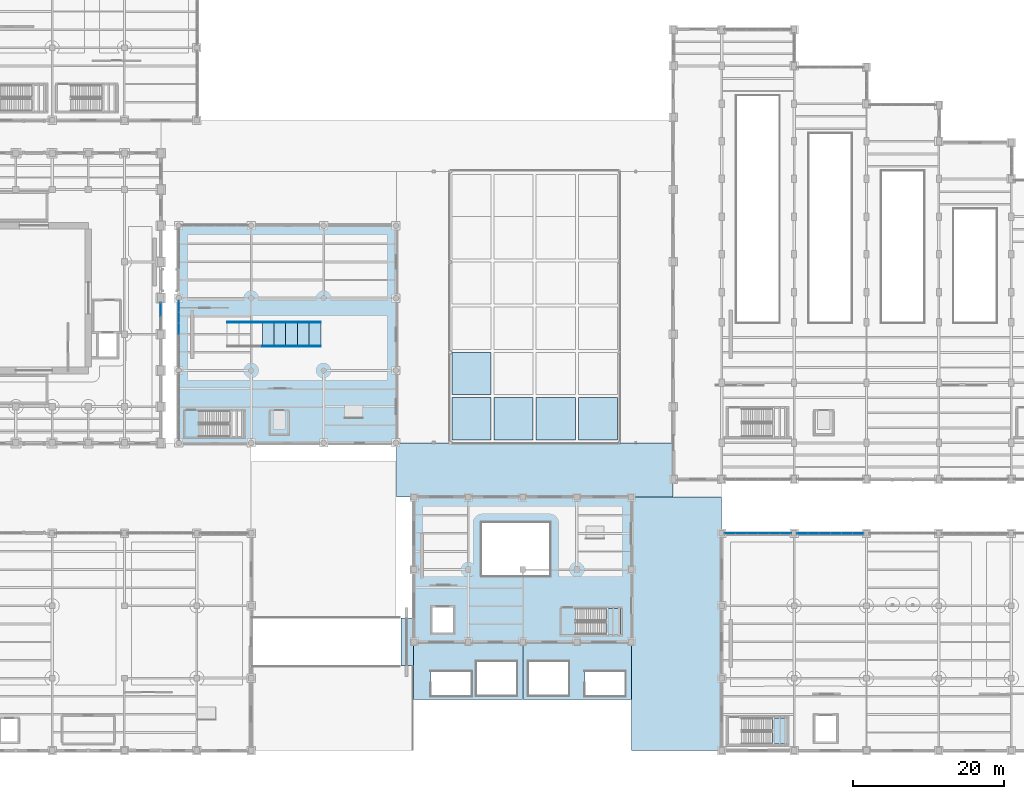
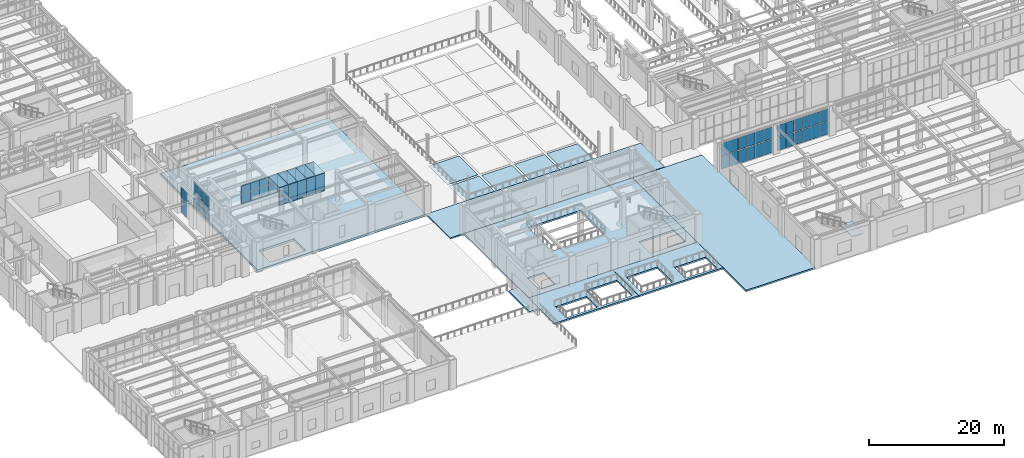
# One storey, part 117 of 164: 55 plates, 9 slabs, 6 elements without a shape of their own.
"""IFC4 building model written with IfcOpenShell, lengths in metres."""

import ifcopenshell
import ifcopenshell.guid

model = None  # the IFC model being written
_history = None  # IfcOwnerHistory: only IFC2X3 demands one
_inside = {}  # id of a spatial element -> (the spatial element, [elements in it])
_under = {}  # id of a project, library or spatial element -> (it, [spatial elements below it])
_declared = {}  # id of a project -> (the project, [libraries it declares])
_typed = {}  # id of a type object -> (the type object, [elements of that type])
_made_of = {}  # id of a material, layer set ... -> (it, [elements and type objects made of it])


def new_model(schema):
    """Start an empty IFC model of exactly this schema.

    Asked for "IFC4X3", IfcOpenShell would pick the latest addendum, in which some entities
    have other attributes; the version numbers below select the first issue.
    IFC2X3 requires an IfcOwnerHistory on every rooted entity: one is made here for all.
    """
    global model, _history
    if schema == "IFC4X3":
        model = ifcopenshell.file(schema_version=(4, 3, 0, 0))
    else:
        model = ifcopenshell.file(schema=schema)
    _inside.clear()
    _under.clear()
    _declared.clear()
    _typed.clear()
    _made_of.clear()
    _history = None
    if model.schema == "IFC2X3":
        org = make("IfcOrganization", Name="unknown")
        user = make(
            "IfcPersonAndOrganization",
            ThePerson=make("IfcPerson", FamilyName="unknown"),
            TheOrganization=org,
        )
        app = make(
            "IfcApplication",
            ApplicationDeveloper=org,
            Version="unknown",
            ApplicationFullName="unknown",
            ApplicationIdentifier="unknown",
        )
        _history = make(
            "IfcOwnerHistory",
            OwningUser=user,
            OwningApplication=app,
            ChangeAction="ADDED",
            CreationDate=0,
        )
    return model


def make(cls, **values):
    """One entity of the class cls with the attributes given. An attribute that is None is left unset."""
    return model.create_entity(
        cls, **{name: value for name, value in values.items() if value is not None}
    )


def rooted(cls, **values):
    """An entity with a GlobalId (a new one), such as an element, a storey or a relation."""
    return make(cls, GlobalId=ifcopenshell.guid.new(), OwnerHistory=_history, **values)


def si_unit(unit_type, name, prefix=None):
    """IfcSIUnit, for example si_unit("LENGTHUNIT", "METRE", prefix="MILLI")."""
    return make("IfcSIUnit", UnitType=unit_type, Prefix=prefix, Name=name)


def assignment(units):
    """IfcUnitAssignment: the units of a project."""
    return None if units is None else make("IfcUnitAssignment", Units=units)


def point(xyz):
    """IfcCartesianPoint."""
    return None if xyz is None else make("IfcCartesianPoint", Coordinates=xyz)


def direction(xyz):
    """IfcDirection."""
    return None if xyz is None else make("IfcDirection", DirectionRatios=xyz)


def frame(location, z_axis=None, x_axis=None):
    """IfcAxis2Placement3D, a coordinate frame: its origin and axes. An axis left out is left unset."""
    return make(
        "IfcAxis2Placement3D",
        Location=point(location),
        Axis=direction(z_axis),
        RefDirection=direction(x_axis),
    )


def frame_2d(location, x_axis=None):
    """IfcAxis2Placement2D, a coordinate frame in the plane: its origin and x axis."""
    return make(
        "IfcAxis2Placement2D", Location=point(location), RefDirection=direction(x_axis)
    )


def origin():
    """The frame at (0, 0, 0) with its axes left unset."""
    return frame((0.0, 0.0, 0.0))


def origin_2d():
    """The frame at (0, 0) in the plane with its x axis left unset."""
    return frame_2d((0.0, 0.0))


def place(relative_to, where):
    """IfcLocalPlacement: puts the frame where relative to a parent placement (None: the world)."""
    return make(
        "IfcLocalPlacement", PlacementRelTo=relative_to, RelativePlacement=where
    )


def context(
    kind, dimensions, precision=None, world=None, true_north=None, identifier=None
):
    """IfcGeometricRepresentationContext, for example the 3D "Model" context."""
    return make(
        "IfcGeometricRepresentationContext",
        ContextIdentifier=identifier,
        ContextType=kind,
        CoordinateSpaceDimension=dimensions,
        Precision=precision,
        WorldCoordinateSystem=world,
        TrueNorth=true_north,
    )


def subcontext(parent, identifier, kind, view, scale=None):
    """IfcGeometricRepresentationSubContext, for example "Body" below "Model"."""
    return make(
        "IfcGeometricRepresentationSubContext",
        ContextIdentifier=identifier,
        ContextType=kind,
        ParentContext=parent,
        TargetScale=scale,
        TargetView=view,
    )


def project(units=None, contexts=None):
    """IfcProject with its units and contexts."""
    return rooted(
        "IfcProject",
        Name="project",
        RepresentationContexts=contexts,
        UnitsInContext=assignment(units),
    )


def spatial(cls, under=None, at=None, **own):
    """A site, building, storey or space (cls), placed at a placement, below another one or the project."""
    s = rooted(cls, ObjectPlacement=at, **own)
    if under is not None:
        _under.setdefault(under.id(), (under, []))[1].append(s)
    return s


def polyline(points):
    """IfcPolyline through the points."""
    return make("IfcPolyline", Points=[point(p) for p in points])


def profile(cls, at=None, kind="AREA", **sizes):
    """A parametric profile (cls). Its sizes go by their IFC names, for example OverallWidth=200.0."""
    return make(cls, ProfileType=kind, Position=at, **sizes)


def rectangle(**sizes):
    """IfcRectangleProfileDef."""
    return profile("IfcRectangleProfileDef", **sizes)


def outline(outer, holes=None, kind="AREA"):
    """IfcArbitraryClosedProfileDef: a profile drawn as a closed curve; with holes, ...WithVoids."""
    if holes is None:
        return make("IfcArbitraryClosedProfileDef", ProfileType=kind, OuterCurve=outer)
    return make(
        "IfcArbitraryProfileDefWithVoids",
        ProfileType=kind,
        OuterCurve=outer,
        InnerCurves=holes,
    )


def extrude(swept, where, along, depth):
    """IfcExtrudedAreaSolid: the profile swept, set in the frame where, extruded along a direction by depth."""
    return make(
        "IfcExtrudedAreaSolid",
        SweptArea=swept,
        Position=where,
        ExtrudedDirection=direction(along),
        Depth=depth,
    )


def shape(context_of_items, identifier, shape_type, items):
    """IfcShapeRepresentation: the items that make up one representation, for example the "Body"."""
    return make(
        "IfcShapeRepresentation",
        ContextOfItems=context_of_items,
        RepresentationIdentifier=identifier,
        RepresentationType=shape_type,
        Items=items,
    )


def material(Name=None, Category=None):
    """IfcMaterial."""
    return make("IfcMaterial", Name=Name, Category=Category)


def layer(
    of_material, thickness, ventilated=None, Name=None, Category=None, Priority=None
):
    """IfcMaterialLayer: one layer of a wall or slab, of a material (None: an air gap)."""
    return make(
        "IfcMaterialLayer",
        Material=of_material,
        LayerThickness=thickness,
        IsVentilated=ventilated,
        Name=Name,
        Category=Category,
        Priority=Priority,
    )


def layer_set(layers, Name=None):
    """IfcMaterialLayerSet."""
    return make("IfcMaterialLayerSet", MaterialLayers=layers, LayerSetName=Name)


def made_of(thing, what):
    """Note that an element or type object is made of a material, layer set ...; save() writes the relation."""
    if what is not None:
        _made_of.setdefault(what.id(), (what, []))[1].append(thing)
    return thing


def type_object(cls, material=None, **own):
    """A type object (cls), such as IfcWallType, which elements share."""
    return made_of(rooted(cls, **own), material)


def element(
    cls,
    number,
    at=None,
    inside=None,
    cuts=None,
    type_object=None,
    material=None,
    context=None,
    identifier="Body",
    shape_type=None,
    held_by="IfcProductDefinitionShape",
    body=None,
    shapes=None,
    **own,
):
    """One element of the class cls, such as IfcWall. Its Tag is "e" and its number.

    at: its placement. inside: the storey or other place that contains it. cuts: it is an
    opening in that element (IfcRelVoidsElement). A single representation is given by context,
    identifier, shape_type and body (its items); several are given by shapes. held_by: the class
    of the entity that holds the representations. save() writes the other relations.
    """
    e = rooted(cls, Tag="e%d" % number, ObjectPlacement=at, **own)
    if body is not None:
        shapes = [shape(context, identifier, shape_type, body)]
    if shapes is not None:
        e.Representation = make(held_by, Representations=shapes)
    if inside is not None:
        _inside.setdefault(inside.id(), (inside, []))[1].append(e)
    if cuts is not None:
        rooted(
            "IfcRelVoidsElement", RelatingBuildingElement=cuts, RelatedOpeningElement=e
        )
    if type_object is not None:
        _typed.setdefault(type_object.id(), (type_object, []))[1].append(e)
    return made_of(e, material)


def aggregate(whole, parts):
    """IfcRelAggregates: a whole, such as a stair, and the parts it consists of."""
    return rooted("IfcRelAggregates", RelatingObject=whole, RelatedObjects=parts)


def save(model, path):
    """Write the relations noted so far, then the file.

    IfcRelAggregates (storeys below a building ...), IfcRelContainedInSpatialStructure (elements
    in a storey), IfcRelDefinesByType, IfcRelAssociatesMaterial and IfcRelDeclares: one each for
    every whole, place, type object, material and project.
    """
    for whole, parts in _under.values():
        aggregate(whole, parts)
    for where, things in _inside.values():
        rooted(
            "IfcRelContainedInSpatialStructure",
            RelatedElements=things,
            RelatingStructure=where,
        )
    for kind, things in _typed.values():
        rooted("IfcRelDefinesByType", RelatedObjects=things, RelatingType=kind)
    for what, things in _made_of.values():
        rooted("IfcRelAssociatesMaterial", RelatedObjects=things, RelatingMaterial=what)
    for by, libraries in _declared.values():
        rooted("IfcRelDeclares", RelatingContext=by, RelatedDefinitions=libraries)
    model.write(path)


model = new_model("IFC4")

# Units and contexts
model_context = context("Model", 3, precision=1e-05, world=origin(), true_north=direction((0.0, 1.0)))
body_context = subcontext(model_context, "Body", "Model", "MODEL_VIEW")
ifc_project = project(units=[si_unit("LENGTHUNIT", "METRE"), si_unit("AREAUNIT", "SQUARE_METRE"), si_unit("VOLUMEUNIT", "CUBIC_METRE"), si_unit("PLANEANGLEUNIT", "RADIAN"), si_unit("MASSUNIT", "GRAM", prefix="KILO")], contexts=[model_context])

# Site, building, storey
site_placement = place(None, origin())
site = spatial("IfcSite", under=ifc_project, at=site_placement, CompositionType="ELEMENT")
building_placement = place(site_placement, origin())
building = spatial("IfcBuilding", under=site, at=building_placement, Name="Mavantir Sound Aquarium", CompositionType="ELEMENT")
storey_placement = place(building_placement, origin())
storey = spatial("IfcBuildingStorey", under=building, at=storey_placement, Name="L00", CompositionType="ELEMENT", Elevation=0.0)

# Curtain wall, plates
ifc_material_1 = material(Name="Anodised Marine Aluminium and Low-E Glass", Category="aluminium")
curtain_wall_type_1 = type_object("IfcCurtainWallType", Name="CW-T01", PredefinedType="USERDEFINED", material=ifc_material_1)
curtain_wall_1_placement = place(storey_placement, origin())
curtain_wall_1 = element("IfcCurtainWall", 1, at=curtain_wall_1_placement, inside=storey, type_object=curtain_wall_type_1, Name="L00 unitised curtain wall CW-01 1", ObjectType="UNITISED GLAZING", PredefinedType="USERDEFINED")
ifc_material_2 = material(Name="Solar-Control Laminated Low-E Glass", Category="glass")
ifc_layer_1 = layer(ifc_material_2, 0.028076171875, Name="Solar-Control Laminated Low-E Glass")
ifc_layer_set_1 = layer_set([ifc_layer_1], Name="Solar-Control Laminated Low-E Glass")
plate_type_1 = type_object("IfcPlateType", Name="CW-PNL-28", PredefinedType="CURTAIN_PANEL", material=ifc_layer_set_1)
plate_1_placement = place(storey_placement, frame((33.60009765625, 58.49609375, 0.10302734375), z_axis=(0.0, 0.0, 1.0), x_axis=(0.0, 1.0, 0.0)))
plate_1 = element("IfcPlate", 2, at=plate_1_placement, type_object=plate_type_1, Name="CW-L00-001 glazed curtain panel 2.1", PredefinedType="CURTAIN_PANEL", context=body_context, shape_type="SweptSolid", body=[
    extrude(rectangle(XDim=1.743896484375, YDim=0.028076171875, at=origin_2d()), origin(), (0.0, 0.0, 1.0), 2.271240234375),
])
plate_2_placement = place(storey_placement, frame((33.60009765625, 58.49609375, 2.47021484375), z_axis=(0.0, 0.0, 1.0), x_axis=(0.0, 1.0, 0.0)))
plate_2 = element("IfcPlate", 3, at=plate_2_placement, type_object=plate_type_1, Name="CW-L00-001 glazed curtain panel 2.2", PredefinedType="CURTAIN_PANEL", context=body_context, shape_type="SweptSolid", body=[
    extrude(rectangle(XDim=1.743896484375, YDim=0.028076171875, at=origin_2d()), origin(), (0.0, 0.0, 1.0), 2.084716796875),
])
aggregate(curtain_wall_1, [plate_1, plate_2])

curtain_wall_type_2 = type_object("IfcCurtainWallType", Name="CW-T05", PredefinedType="USERDEFINED", material=ifc_material_1)
curtain_wall_2_placement = place(storey_placement, origin())
curtain_wall_2 = element("IfcCurtainWall", 4, at=curtain_wall_2_placement, inside=storey, type_object=curtain_wall_type_2, Name="L00 unitised curtain wall CW-05 53", ObjectType="UNITISED GLAZING", PredefinedType="USERDEFINED")
plate_3_placement = place(storey_placement, frame((116.480712890625, 28.800048828125, 0.10302734375), z_axis=(0.0, 0.0, 1.0), x_axis=(-1.0, 0.0, 0.0)))
plate_3 = element("IfcPlate", 5, at=plate_3_placement, type_object=plate_type_1, Name="CW-L00-053 glazed curtain panel 1.1", PredefinedType="CURTAIN_PANEL", context=body_context, shape_type="SweptSolid", body=[
    extrude(rectangle(XDim=1.42431640625, YDim=0.028076171875, at=origin_2d()), origin(), (0.0, 0.0, 1.0), 2.38818359375),
])
plate_4_placement = place(storey_placement, frame((116.480712890625, 28.800048828125, 2.587158203125), z_axis=(0.0, 0.0, 1.0), x_axis=(-1.0, 0.0, 0.0)))
plate_4 = element("IfcPlate", 6, at=plate_4_placement, type_object=plate_type_1, Name="CW-L00-053 glazed curtain panel 1.2", PredefinedType="CURTAIN_PANEL", context=body_context, shape_type="SweptSolid", body=[
    extrude(rectangle(XDim=1.42431640625, YDim=0.028076171875, at=origin_2d()), origin(), (0.0, 0.0, 1.0), 2.19287109375),
])
plate_5_placement = place(storey_placement, frame((115.008544921875, 28.800048828125, 0.10302734375), z_axis=(0.0, 0.0, 1.0), x_axis=(-1.0, 0.0, 0.0)))
plate_5 = element("IfcPlate", 7, at=plate_5_placement, type_object=plate_type_1, Name="CW-L00-053 glazed curtain panel 2.1", PredefinedType="CURTAIN_PANEL", context=body_context, shape_type="SweptSolid", body=[
    extrude(rectangle(XDim=1.42431640625, YDim=0.028076171875, at=origin_2d()), origin(), (0.0, 0.0, 1.0), 2.38818359375),
])
plate_6_placement = place(storey_placement, frame((115.008544921875, 28.800048828125, 2.587158203125), z_axis=(0.0, 0.0, 1.0), x_axis=(-1.0, 0.0, 0.0)))
plate_6 = element("IfcPlate", 8, at=plate_6_placement, type_object=plate_type_1, Name="CW-L00-053 glazed curtain panel 2.2", PredefinedType="CURTAIN_PANEL", context=body_context, shape_type="SweptSolid", body=[
    extrude(rectangle(XDim=1.42431640625, YDim=0.028076171875, at=origin_2d()), origin(), (0.0, 0.0, 1.0), 2.19287109375),
])
plate_7_placement = place(storey_placement, frame((113.5361328125, 28.800048828125, 0.10302734375), z_axis=(0.0, 0.0, 1.0), x_axis=(-1.0, 0.0, 0.0)))
plate_7 = element("IfcPlate", 9, at=plate_7_placement, type_object=plate_type_1, Name="CW-L00-053 glazed curtain panel 3.1", PredefinedType="CURTAIN_PANEL", context=body_context, shape_type="SweptSolid", body=[
    extrude(rectangle(XDim=1.42431640625, YDim=0.028076171875, at=origin_2d()), origin(), (0.0, 0.0, 1.0), 2.38818359375),
])
plate_8_placement = place(storey_placement, frame((113.5361328125, 28.800048828125, 2.587158203125), z_axis=(0.0, 0.0, 1.0), x_axis=(-1.0, 0.0, 0.0)))
plate_8 = element("IfcPlate", 10, at=plate_8_placement, type_object=plate_type_1, Name="CW-L00-053 glazed curtain panel 3.2", PredefinedType="CURTAIN_PANEL", context=body_context, shape_type="SweptSolid", body=[
    extrude(rectangle(XDim=1.42431640625, YDim=0.028076171875, at=origin_2d()), origin(), (0.0, 0.0, 1.0), 2.19287109375),
])
plate_9_placement = place(storey_placement, frame((112.063720703125, 28.800048828125, 0.10302734375), z_axis=(0.0, 0.0, 1.0), x_axis=(-1.0, 0.0, 0.0)))
plate_9 = element("IfcPlate", 11, at=plate_9_placement, type_object=plate_type_1, Name="CW-L00-053 glazed curtain panel 4.1", PredefinedType="CURTAIN_PANEL", context=body_context, shape_type="SweptSolid", body=[
    extrude(rectangle(XDim=1.42431640625, YDim=0.028076171875, at=origin_2d()), origin(), (0.0, 0.0, 1.0), 2.38818359375),
])
plate_10_placement = place(storey_placement, frame((112.063720703125, 28.800048828125, 2.587158203125), z_axis=(0.0, 0.0, 1.0), x_axis=(-1.0, 0.0, 0.0)))
plate_10 = element("IfcPlate", 12, at=plate_10_placement, type_object=plate_type_1, Name="CW-L00-053 glazed curtain panel 4.2", PredefinedType="CURTAIN_PANEL", context=body_context, shape_type="SweptSolid", body=[
    extrude(rectangle(XDim=1.42431640625, YDim=0.028076171875, at=origin_2d()), origin(), (0.0, 0.0, 1.0), 2.19287109375),
])
plate_11_placement = place(storey_placement, frame((110.591552734375, 28.800048828125, 0.10302734375), z_axis=(0.0, 0.0, 1.0), x_axis=(-1.0, 0.0, 0.0)))
plate_11 = element("IfcPlate", 13, at=plate_11_placement, type_object=plate_type_1, Name="CW-L00-053 glazed curtain panel 5.1", PredefinedType="CURTAIN_PANEL", context=body_context, shape_type="SweptSolid", body=[
    extrude(rectangle(XDim=1.42431640625, YDim=0.028076171875, at=origin_2d()), origin(), (0.0, 0.0, 1.0), 2.38818359375),
])
plate_12_placement = place(storey_placement, frame((110.591552734375, 28.800048828125, 2.587158203125), z_axis=(0.0, 0.0, 1.0), x_axis=(-1.0, 0.0, 0.0)))
plate_12 = element("IfcPlate", 14, at=plate_12_placement, type_object=plate_type_1, Name="CW-L00-053 glazed curtain panel 5.2", PredefinedType="CURTAIN_PANEL", context=body_context, shape_type="SweptSolid", body=[
    extrude(rectangle(XDim=1.42431640625, YDim=0.028076171875, at=origin_2d()), origin(), (0.0, 0.0, 1.0), 2.19287109375),
])
plate_13_placement = place(storey_placement, frame((109.119140625, 28.800048828125, 0.10302734375), z_axis=(0.0, 0.0, 1.0), x_axis=(-1.0, 0.0, 0.0)))
plate_13 = element("IfcPlate", 15, at=plate_13_placement, type_object=plate_type_1, Name="CW-L00-053 glazed curtain panel 6.1", PredefinedType="CURTAIN_PANEL", context=body_context, shape_type="SweptSolid", body=[
    extrude(rectangle(XDim=1.42431640625, YDim=0.028076171875, at=origin_2d()), origin(), (0.0, 0.0, 1.0), 2.38818359375),
])
plate_14_placement = place(storey_placement, frame((109.119140625, 28.800048828125, 2.587158203125), z_axis=(0.0, 0.0, 1.0), x_axis=(-1.0, 0.0, 0.0)))
plate_14 = element("IfcPlate", 16, at=plate_14_placement, type_object=plate_type_1, Name="CW-L00-053 glazed curtain panel 6.2", PredefinedType="CURTAIN_PANEL", context=body_context, shape_type="SweptSolid", body=[
    extrude(rectangle(XDim=1.42431640625, YDim=0.028076171875, at=origin_2d()), origin(), (0.0, 0.0, 1.0), 2.19287109375),
])
aggregate(curtain_wall_2, [plate_3, plate_4, plate_5, plate_6, plate_7, plate_8, plate_9, plate_10, plate_11, plate_12, plate_13, plate_14])

curtain_wall_type_3 = type_object("IfcCurtainWallType", Name="CW-T04", PredefinedType="USERDEFINED", material=ifc_material_1)
curtain_wall_3_placement = place(storey_placement, origin())
curtain_wall_3 = element("IfcCurtainWall", 17, at=curtain_wall_3_placement, inside=storey, type_object=curtain_wall_type_3, Name="L00 unitised curtain wall CW-04 4", ObjectType="UNITISED GLAZING", PredefinedType="USERDEFINED")
ifc_layer_2 = layer(ifc_material_2, 0.031982421875, Name="Solar-Control Laminated Low-E Glass")
ifc_layer_set_2 = layer_set([ifc_layer_2], Name="Solar-Control Laminated Low-E Glass")
plate_type_2 = type_object("IfcPlateType", Name="CW-PNL-32", PredefinedType="CURTAIN_PANEL", material=ifc_layer_set_2)
plate_15_placement = place(storey_placement, frame((36.0, 58.880859375, 0.10302734375), z_axis=(0.0, 0.0, 1.0), x_axis=(0.0, -1.0, 0.0)))
plate_15 = element("IfcPlate", 18, at=plate_15_placement, type_object=plate_type_2, Name="CW-L00-004 glazed curtain panel 1.1", PredefinedType="CURTAIN_PANEL", context=body_context, shape_type="SweptSolid", body=[
    extrude(rectangle(XDim=1.42431640625, YDim=0.031982421875, at=origin_2d()), origin(), (0.0, 0.0, 1.0), 2.2666015625),
])
plate_16_placement = place(storey_placement, frame((36.0, 58.880859375, 2.46533203125), z_axis=(0.0, 0.0, 1.0), x_axis=(0.0, -1.0, 0.0)))
plate_16 = element("IfcPlate", 19, at=plate_16_placement, type_object=plate_type_2, Name="CW-L00-004 glazed curtain panel 1.2", PredefinedType="CURTAIN_PANEL", context=body_context, shape_type="SweptSolid", body=[
    extrude(rectangle(XDim=1.42431640625, YDim=0.031982421875, at=origin_2d()), origin(), (0.0, 0.0, 1.0), 2.08056640625),
])
plate_17_placement = place(storey_placement, frame((36.0, 57.408447265625, 0.10302734375), z_axis=(0.0, 0.0, 1.0), x_axis=(0.0, -1.0, 0.0)))
plate_17 = element("IfcPlate", 20, at=plate_17_placement, type_object=plate_type_2, Name="CW-L00-004 glazed curtain panel 2.1", PredefinedType="CURTAIN_PANEL", context=body_context, shape_type="SweptSolid", body=[
    extrude(rectangle(XDim=1.42431640625, YDim=0.031982421875, at=origin_2d()), origin(), (0.0, 0.0, 1.0), 2.2666015625),
])
plate_18_placement = place(storey_placement, frame((36.0, 57.408447265625, 2.46533203125), z_axis=(0.0, 0.0, 1.0), x_axis=(0.0, -1.0, 0.0)))
plate_18 = element("IfcPlate", 21, at=plate_18_placement, type_object=plate_type_2, Name="CW-L00-004 glazed curtain panel 2.2", PredefinedType="CURTAIN_PANEL", context=body_context, shape_type="SweptSolid", body=[
    extrude(rectangle(XDim=1.42431640625, YDim=0.031982421875, at=origin_2d()), origin(), (0.0, 0.0, 1.0), 2.08056640625),
])
plate_19_placement = place(storey_placement, frame((36.0, 55.936279296875, 0.10302734375), z_axis=(0.0, 0.0, 1.0), x_axis=(0.0, -1.0, 0.0)))
plate_19 = element("IfcPlate", 22, at=plate_19_placement, type_object=plate_type_2, Name="CW-L00-004 glazed curtain panel 3.1", PredefinedType="CURTAIN_PANEL", context=body_context, shape_type="SweptSolid", body=[
    extrude(rectangle(XDim=1.42431640625, YDim=0.031982421875, at=origin_2d()), origin(), (0.0, 0.0, 1.0), 2.2666015625),
])
plate_20_placement = place(storey_placement, frame((36.0, 55.936279296875, 2.46533203125), z_axis=(0.0, 0.0, 1.0), x_axis=(0.0, -1.0, 0.0)))
plate_20 = element("IfcPlate", 23, at=plate_20_placement, type_object=plate_type_2, Name="CW-L00-004 glazed curtain panel 3.2", PredefinedType="CURTAIN_PANEL", context=body_context, shape_type="SweptSolid", body=[
    extrude(rectangle(XDim=1.42431640625, YDim=0.031982421875, at=origin_2d()), origin(), (0.0, 0.0, 1.0), 2.08056640625),
])
aggregate(curtain_wall_3, [plate_15, plate_16, plate_17, plate_18, plate_19, plate_20])

curtain_wall_4_placement = place(storey_placement, origin())
curtain_wall_4 = element("IfcCurtainWall", 24, at=curtain_wall_4_placement, inside=storey, type_object=curtain_wall_type_3, Name="L00 unitised curtain wall CW-04 52", ObjectType="UNITISED GLAZING", PredefinedType="USERDEFINED")
plate_21_placement = place(storey_placement, frame((126.080810546875, 28.800048828125, 0.10302734375), z_axis=(0.0, 0.0, 1.0), x_axis=(-1.0, 0.0, 0.0)))
plate_21 = element("IfcPlate", 25, at=plate_21_placement, type_object=plate_type_2, Name="CW-L00-052 glazed curtain panel 1.1", PredefinedType="CURTAIN_PANEL", context=body_context, shape_type="SweptSolid", body=[
    extrude(rectangle(XDim=1.42431640625, YDim=0.031982421875, at=origin_2d()), origin(), (0.0, 0.0, 1.0), 2.33349609375),
])
plate_22_placement = place(storey_placement, frame((126.080810546875, 28.800048828125, 2.53271484375), z_axis=(0.0, 0.0, 1.0), x_axis=(-1.0, 0.0, 0.0)))
plate_22 = element("IfcPlate", 26, at=plate_22_placement, type_object=plate_type_2, Name="CW-L00-052 glazed curtain panel 1.2", PredefinedType="CURTAIN_PANEL", context=body_context, shape_type="SweptSolid", body=[
    extrude(rectangle(XDim=1.42431640625, YDim=0.031982421875, at=origin_2d()), origin(), (0.0, 0.0, 1.0), 2.142333984375),
])
plate_23_placement = place(storey_placement, frame((124.6083984375, 28.800048828125, 0.10302734375), z_axis=(0.0, 0.0, 1.0), x_axis=(-1.0, 0.0, 0.0)))
plate_23 = element("IfcPlate", 27, at=plate_23_placement, type_object=plate_type_2, Name="CW-L00-052 glazed curtain panel 2.1", PredefinedType="CURTAIN_PANEL", context=body_context, shape_type="SweptSolid", body=[
    extrude(rectangle(XDim=1.42431640625, YDim=0.031982421875, at=origin_2d()), origin(), (0.0, 0.0, 1.0), 2.33349609375),
])
plate_24_placement = place(storey_placement, frame((124.6083984375, 28.800048828125, 2.53271484375), z_axis=(0.0, 0.0, 1.0), x_axis=(-1.0, 0.0, 0.0)))
plate_24 = element("IfcPlate", 28, at=plate_24_placement, type_object=plate_type_2, Name="CW-L00-052 glazed curtain panel 2.2", PredefinedType="CURTAIN_PANEL", context=body_context, shape_type="SweptSolid", body=[
    extrude(rectangle(XDim=1.42431640625, YDim=0.031982421875, at=origin_2d()), origin(), (0.0, 0.0, 1.0), 2.142333984375),
])
plate_25_placement = place(storey_placement, frame((123.13623046875, 28.800048828125, 0.10302734375), z_axis=(0.0, 0.0, 1.0), x_axis=(-1.0, 0.0, 0.0)))
plate_25 = element("IfcPlate", 29, at=plate_25_placement, type_object=plate_type_2, Name="CW-L00-052 glazed curtain panel 3.1", PredefinedType="CURTAIN_PANEL", context=body_context, shape_type="SweptSolid", body=[
    extrude(rectangle(XDim=1.42431640625, YDim=0.031982421875, at=origin_2d()), origin(), (0.0, 0.0, 1.0), 2.33349609375),
])
plate_26_placement = place(storey_placement, frame((123.13623046875, 28.800048828125, 2.53271484375), z_axis=(0.0, 0.0, 1.0), x_axis=(-1.0, 0.0, 0.0)))
plate_26 = element("IfcPlate", 30, at=plate_26_placement, type_object=plate_type_2, Name="CW-L00-052 glazed curtain panel 3.2", PredefinedType="CURTAIN_PANEL", context=body_context, shape_type="SweptSolid", body=[
    extrude(rectangle(XDim=1.42431640625, YDim=0.031982421875, at=origin_2d()), origin(), (0.0, 0.0, 1.0), 2.142333984375),
])
plate_27_placement = place(storey_placement, frame((121.663818359375, 28.800048828125, 0.10302734375), z_axis=(0.0, 0.0, 1.0), x_axis=(-1.0, 0.0, 0.0)))
plate_27 = element("IfcPlate", 31, at=plate_27_placement, type_object=plate_type_2, Name="CW-L00-052 glazed curtain panel 4.1", PredefinedType="CURTAIN_PANEL", context=body_context, shape_type="SweptSolid", body=[
    extrude(rectangle(XDim=1.42431640625, YDim=0.031982421875, at=origin_2d()), origin(), (0.0, 0.0, 1.0), 2.33349609375),
])
plate_28_placement = place(storey_placement, frame((121.663818359375, 28.800048828125, 2.53271484375), z_axis=(0.0, 0.0, 1.0), x_axis=(-1.0, 0.0, 0.0)))
plate_28 = element("IfcPlate", 32, at=plate_28_placement, type_object=plate_type_2, Name="CW-L00-052 glazed curtain panel 4.2", PredefinedType="CURTAIN_PANEL", context=body_context, shape_type="SweptSolid", body=[
    extrude(rectangle(XDim=1.42431640625, YDim=0.031982421875, at=origin_2d()), origin(), (0.0, 0.0, 1.0), 2.142333984375),
])
plate_29_placement = place(storey_placement, frame((120.19140625, 28.800048828125, 0.10302734375), z_axis=(0.0, 0.0, 1.0), x_axis=(-1.0, 0.0, 0.0)))
plate_29 = element("IfcPlate", 33, at=plate_29_placement, type_object=plate_type_2, Name="CW-L00-052 glazed curtain panel 5.1", PredefinedType="CURTAIN_PANEL", context=body_context, shape_type="SweptSolid", body=[
    extrude(rectangle(XDim=1.42431640625, YDim=0.031982421875, at=origin_2d()), origin(), (0.0, 0.0, 1.0), 2.33349609375),
])
plate_30_placement = place(storey_placement, frame((120.19140625, 28.800048828125, 2.53271484375), z_axis=(0.0, 0.0, 1.0), x_axis=(-1.0, 0.0, 0.0)))
plate_30 = element("IfcPlate", 34, at=plate_30_placement, type_object=plate_type_2, Name="CW-L00-052 glazed curtain panel 5.2", PredefinedType="CURTAIN_PANEL", context=body_context, shape_type="SweptSolid", body=[
    extrude(rectangle(XDim=1.42431640625, YDim=0.031982421875, at=origin_2d()), origin(), (0.0, 0.0, 1.0), 2.142333984375),
])
plate_31_placement = place(storey_placement, frame((118.71923828125, 28.800048828125, 0.10302734375), z_axis=(0.0, 0.0, 1.0), x_axis=(-1.0, 0.0, 0.0)))
plate_31 = element("IfcPlate", 35, at=plate_31_placement, type_object=plate_type_2, Name="CW-L00-052 glazed curtain panel 6.1", PredefinedType="CURTAIN_PANEL", context=body_context, shape_type="SweptSolid", body=[
    extrude(rectangle(XDim=1.42431640625, YDim=0.031982421875, at=origin_2d()), origin(), (0.0, 0.0, 1.0), 2.33349609375),
])
plate_32_placement = place(storey_placement, frame((118.71923828125, 28.800048828125, 2.53271484375), z_axis=(0.0, 0.0, 1.0), x_axis=(-1.0, 0.0, 0.0)))
plate_32 = element("IfcPlate", 36, at=plate_32_placement, type_object=plate_type_2, Name="CW-L00-052 glazed curtain panel 6.2", PredefinedType="CURTAIN_PANEL", context=body_context, shape_type="SweptSolid", body=[
    extrude(rectangle(XDim=1.42431640625, YDim=0.031982421875, at=origin_2d()), origin(), (0.0, 0.0, 1.0), 2.142333984375),
])
aggregate(curtain_wall_4, [plate_21, plate_22, plate_23, plate_24, plate_25, plate_26, plate_27, plate_28, plate_29, plate_30, plate_31, plate_32])

# Plates
ifc_material_3 = material(Name="Cast Acrylic PMMA Glazing", Category="glass")
ifc_layer_3 = layer(ifc_material_3, 0.10009765625, Name="Cast Acrylic PMMA Glazing")
ifc_layer_set_3 = layer_set([ifc_layer_3], Name="Cast Acrylic PMMA Glazing")
plate_type_3 = type_object("IfcPlateType", Name="PLT-TUNNEL-100", PredefinedType="SHEET", material=ifc_layer_set_3)
for number, where, z_axis, x_axis, name in (
    (37, (44.75, 56.800048828125, 0.0), (0.0, 0.0, 1.0), (1.0, 0.0, 0.0), "Pelagic walkthrough acrylic tunnel wall plate 2B"),
    (38, (47.85009765625, 53.60009765625, 0.0), (0.0, 0.0, 1.0), (1.0, 0.0, 0.0), "Pelagic walkthrough acrylic tunnel wall plate 4A"),
    (39, (47.85009765625, 56.800048828125, 0.0), (0.0, 0.0, 1.0), (1.0, 0.0, 0.0), "Pelagic walkthrough acrylic tunnel wall plate 4B"),
):
    element("IfcPlate", number, at=place(storey_placement, frame(where, z_axis=z_axis, x_axis=x_axis)), inside=storey, type_object=plate_type_3, Name=name, PredefinedType="SHEET", context=body_context, shape_type="SweptSolid", body=[
        extrude(rectangle(XDim=1.56005859375, YDim=0.10009765625, at=origin_2d()), origin(), (0.0, 0.0, 1.0), 3.199951171875),
    ])
plate_33_placement = place(storey_placement, frame((47.85009765625, 55.199951171875, 3.199951171875), z_axis=(0.0, 0.0, 1.0), x_axis=(1.0, 0.0, 0.0)))
element("IfcPlate", 40, at=plate_33_placement, inside=storey, type_object=plate_type_3, Name="Pelagic walkthrough acrylic tunnel crown plate 4", PredefinedType="SHEET", context=body_context, shape_type="SweptSolid", body=[
    extrude(rectangle(XDim=1.56005859375, YDim=3.360107421875, at=origin_2d()), origin(), (0.0, 0.0, 1.0), 0.10009765625),
])
for number, where, z_axis, x_axis, name in (
    (41, (50.949951171875, 53.60009765625, 0.0), (0.0, 0.0, 1.0), (1.0, 0.0, 0.0), "Pelagic walkthrough acrylic tunnel wall plate 6A"),
    (42, (50.949951171875, 56.800048828125, 0.0), (0.0, 0.0, 1.0), (1.0, 0.0, 0.0), "Pelagic walkthrough acrylic tunnel wall plate 6B"),
):
    element("IfcPlate", number, at=place(storey_placement, frame(where, z_axis=z_axis, x_axis=x_axis)), inside=storey, type_object=plate_type_3, Name=name, PredefinedType="SHEET", context=body_context, shape_type="SweptSolid", body=[
        extrude(rectangle(XDim=1.56005859375, YDim=0.10009765625, at=origin_2d()), origin(), (0.0, 0.0, 1.0), 3.199951171875),
    ])
plate_34_placement = place(storey_placement, frame((50.949951171875, 55.199951171875, 3.199951171875), z_axis=(0.0, 0.0, 1.0), x_axis=(1.0, 0.0, 0.0)))
element("IfcPlate", 43, at=plate_34_placement, inside=storey, type_object=plate_type_3, Name="Pelagic walkthrough acrylic tunnel crown plate 6", PredefinedType="SHEET", context=body_context, shape_type="SweptSolid", body=[
    extrude(rectangle(XDim=1.56005859375, YDim=3.360107421875, at=origin_2d()), origin(), (0.0, 0.0, 1.0), 0.10009765625),
])
for number, where, z_axis, x_axis, name in (
    (44, (54.050048828125, 53.60009765625, 0.0), (0.0, 0.0, 1.0), (1.0, 0.0, 0.0), "Pelagic walkthrough acrylic tunnel wall plate 8A"),
    (45, (54.050048828125, 56.800048828125, 0.0), (0.0, 0.0, 1.0), (1.0, 0.0, 0.0), "Pelagic walkthrough acrylic tunnel wall plate 8B"),
):
    element("IfcPlate", number, at=place(storey_placement, frame(where, z_axis=z_axis, x_axis=x_axis)), inside=storey, type_object=plate_type_3, Name=name, PredefinedType="SHEET", context=body_context, shape_type="SweptSolid", body=[
        extrude(rectangle(XDim=1.56005859375, YDim=0.10009765625, at=origin_2d()), origin(), (0.0, 0.0, 1.0), 3.199951171875),
    ])
plate_35_placement = place(storey_placement, frame((54.050048828125, 55.199951171875, 3.199951171875), z_axis=(0.0, 0.0, 1.0), x_axis=(1.0, 0.0, 0.0)))
element("IfcPlate", 46, at=plate_35_placement, inside=storey, type_object=plate_type_3, Name="Pelagic walkthrough acrylic tunnel crown plate 8", PredefinedType="SHEET", context=body_context, shape_type="SweptSolid", body=[
    extrude(rectangle(XDim=1.56005859375, YDim=3.360107421875, at=origin_2d()), origin(), (0.0, 0.0, 1.0), 0.10009765625),
])
ifc_layer_4 = layer(ifc_material_3, 0.1201171875, Name="Cast Acrylic PMMA Glazing")
ifc_layer_set_4 = layer_set([ifc_layer_4], Name="Cast Acrylic PMMA Glazing")
plate_type_4 = type_object("IfcPlateType", Name="PLT-TUNNEL-120", PredefinedType="SHEET", material=ifc_layer_set_4)
for number, where, z_axis, x_axis, name in (
    (47, (43.199951171875, 56.800048828125, 0.0), (0.0, 0.0, 1.0), (1.0, 0.0, 0.0), "Pelagic walkthrough acrylic tunnel wall plate 1B"),
    (48, (46.300048828125, 56.800048828125, 0.0), (0.0, 0.0, 1.0), (1.0, 0.0, 0.0), "Pelagic walkthrough acrylic tunnel wall plate 3B"),
    (49, (49.39990234375, 53.60009765625, 0.0), (0.0, 0.0, 1.0), (1.0, 0.0, 0.0), "Pelagic walkthrough acrylic tunnel wall plate 5A"),
    (50, (49.39990234375, 56.800048828125, 0.0), (0.0, 0.0, 1.0), (1.0, 0.0, 0.0), "Pelagic walkthrough acrylic tunnel wall plate 5B"),
):
    element("IfcPlate", number, at=place(storey_placement, frame(where, z_axis=z_axis, x_axis=x_axis)), inside=storey, type_object=plate_type_4, Name=name, PredefinedType="SHEET", context=body_context, shape_type="SweptSolid", body=[
        extrude(rectangle(XDim=1.56005859375, YDim=0.1201171875, at=origin_2d()), origin(), (0.0, 0.0, 1.0), 3.199951171875),
    ])
plate_36_placement = place(storey_placement, frame((49.39990234375, 55.199951171875, 3.199951171875), z_axis=(0.0, 0.0, 1.0), x_axis=(1.0, 0.0, 0.0)))
element("IfcPlate", 51, at=plate_36_placement, inside=storey, type_object=plate_type_4, Name="Pelagic walkthrough acrylic tunnel crown plate 5", PredefinedType="SHEET", context=body_context, shape_type="SweptSolid", body=[
    extrude(rectangle(XDim=1.56005859375, YDim=3.360107421875, at=origin_2d()), origin(), (0.0, 0.0, 1.0), 0.1201171875),
])
for number, where, z_axis, x_axis, name in (
    (52, (52.5, 53.60009765625, 0.0), (0.0, 0.0, 1.0), (1.0, 0.0, 0.0), "Pelagic walkthrough acrylic tunnel wall plate 7A"),
    (53, (52.5, 56.800048828125, 0.0), (0.0, 0.0, 1.0), (1.0, 0.0, 0.0), "Pelagic walkthrough acrylic tunnel wall plate 7B"),
):
    element("IfcPlate", number, at=place(storey_placement, frame(where, z_axis=z_axis, x_axis=x_axis)), inside=storey, type_object=plate_type_4, Name=name, PredefinedType="SHEET", context=body_context, shape_type="SweptSolid", body=[
        extrude(rectangle(XDim=1.56005859375, YDim=0.1201171875, at=origin_2d()), origin(), (0.0, 0.0, 1.0), 3.199951171875),
    ])
plate_37_placement = place(storey_placement, frame((52.5, 55.199951171875, 3.199951171875), z_axis=(0.0, 0.0, 1.0), x_axis=(1.0, 0.0, 0.0)))
element("IfcPlate", 54, at=plate_37_placement, inside=storey, type_object=plate_type_4, Name="Pelagic walkthrough acrylic tunnel crown plate 7", PredefinedType="SHEET", context=body_context, shape_type="SweptSolid", body=[
    extrude(rectangle(XDim=1.56005859375, YDim=3.360107421875, at=origin_2d()), origin(), (0.0, 0.0, 1.0), 0.1201171875),
])
ifc_material_4 = material(Name="Cerulean Glazed Tidal Basin Weir Plate", Category="glass")
ifc_layer_5 = layer(ifc_material_4, 0.0400390625, Name="Cerulean Glazed Tidal Basin Weir Plate")
ifc_layer_set_5 = layer_set([ifc_layer_5], Name="Cerulean Glazed Tidal Basin Weir Plate")
plate_type_5 = type_object("IfcPlateType", Name="PLT-WATER-25", PredefinedType="SHEET", material=ifc_layer_set_5)
for number, where, z_axis, x_axis, name in (
    (55, (74.800048828125, 44.0, -1.2099609375), (0.0, 0.0, 1.0), (1.0, 0.0, 0.0), "Gulf of Paria tidal basin weir plate 1"),
    (56, (74.800048828125, 50.0, -1.2099609375), (0.0, 0.0, 1.0), (1.0, 0.0, 0.0), "Gulf of Paria tidal basin weir plate 2"),
    (57, (80.39990234375, 44.0, -1.2099609375), (0.0, 0.0, 1.0), (1.0, 0.0, 0.0), "Gulf of Paria tidal basin weir plate 7"),
    (58, (86.0, 44.0, -1.2099609375), (0.0, 0.0, 1.0), (1.0, 0.0, 0.0), "Gulf of Paria tidal basin weir plate 13"),
    (59, (91.60009765625, 44.0, -1.2099609375), (0.0, 0.0, 1.0), (1.0, 0.0, 0.0), "Gulf of Paria tidal basin weir plate 19"),
):
    element("IfcPlate", number, at=place(storey_placement, frame(where, z_axis=z_axis, x_axis=x_axis)), inside=storey, type_object=plate_type_5, Name=name, PredefinedType="SHEET", context=body_context, shape_type="SweptSolid", body=[
        extrude(rectangle(XDim=5.199951171875, YDim=5.60009765625, at=origin_2d()), origin(), (0.0, 0.0, 1.0), 0.0400390625),
    ])

# Slabs
ifc_material_5 = material(Name="Concrete C40/50", Category="concrete")
ifc_layer_6 = layer(ifc_material_5, 0.300048828125, Name="Concrete C40/50")
ifc_layer_set_6 = layer_set([ifc_layer_6], Name="Concrete C40/50")
slab_type_1 = type_object("IfcSlabType", Name="SLB-ES-01", PredefinedType="FLOOR", material=ifc_layer_set_6)
slab_1_placement = place(storey_placement, frame((0.0, 0.0, -0.300048828125)))
element("IfcSlab", 60, at=slab_1_placement, inside=storey, type_object=slab_type_1, Name="L00 outdoor apron slab ES-01", PredefinedType="FLOOR", context=body_context, shape_type="SweptSolid", body=[
    extrude(outline(polyline([(65.5, 11.25), (67.14990234375, 11.25), (67.14990234375, 17.550048828125), (65.5, 17.550048828125), (65.5, 11.25)])), origin(), (0.0, 0.0, 1.0), 0.300048828125),
])
slab_2_placement = place(storey_placement, frame((0.0, 0.0, -0.300048828125)))
element("IfcSlab", 61, at=slab_2_placement, inside=storey, type_object=slab_type_1, Name="L00 outdoor apron slab ES-01", PredefinedType="FLOOR", context=body_context, shape_type="SweptSolid", body=[
    extrude(outline(polyline([(96.050048828125, 0.0), (107.949951171875, 0.0), (107.949951171875, 33.60009765625), (96.050048828125, 33.60009765625), (96.050048828125, 0.0)])), origin(), (0.0, 0.0, 1.0), 0.300048828125),
])
slab_3_placement = place(storey_placement, frame((0.0, 0.0, -0.300048828125)))
element("IfcSlab", 62, at=slab_3_placement, inside=storey, type_object=slab_type_1, Name="Sunken forecourt ST13 street-level arrival terrace", PredefinedType="FLOOR", context=body_context, shape_type="SweptSolid", body=[
    extrude(outline(polyline([(67.14990234375, 6.800048828125), (81.580078125, 6.800048828125), (81.580078125, 14.419921875), (67.14990234375, 14.419921875), (67.14990234375, 6.800048828125)]), holes=[polyline([(69.449951171875, 7.25), (74.800048828125, 7.25), (74.800048828125, 10.449951171875), (69.449951171875, 10.449951171875), (69.449951171875, 7.25)]), polyline([(75.5, 7.300048828125), (80.800048828125, 7.300048828125), (80.800048828125, 11.800048828125), (75.5, 11.800048828125), (75.5, 7.300048828125)])]), origin(), (0.0, 0.0, 1.0), 0.300048828125),
])
slab_4_placement = place(storey_placement, frame((0.0, 0.0, -0.300048828125)))
element("IfcSlab", 63, at=slab_4_placement, inside=storey, type_object=slab_type_1, Name="Sunken forecourt ST14 street-level arrival terrace", PredefinedType="FLOOR", context=body_context, shape_type="SweptSolid", body=[
    extrude(outline(polyline([(81.6201171875, 6.800048828125), (96.050048828125, 6.800048828125), (96.050048828125, 14.419921875), (81.6201171875, 14.419921875), (81.6201171875, 6.800048828125)]), holes=[polyline([(89.85009765625, 7.25), (95.199951171875, 7.25), (95.199951171875, 10.449951171875), (89.85009765625, 10.449951171875), (89.85009765625, 7.25)]), polyline([(82.39990234375, 7.300048828125), (87.699951171875, 7.300048828125), (87.699951171875, 11.800048828125), (82.39990234375, 11.800048828125), (82.39990234375, 7.300048828125)])]), origin(), (0.0, 0.0, 1.0), 0.300048828125),
])
ifc_layer_7 = layer(ifc_material_5, 0.25, Name="Concrete C40/50")
ifc_layer_set_7 = layer_set([ifc_layer_7], Name="Concrete C40/50")
slab_type_2 = type_object("IfcSlabType", Name="SLB-ES-02", PredefinedType="FLOOR", material=ifc_layer_set_7)
slab_5_placement = place(storey_placement, frame((0.0, 0.0, -0.25)))
element("IfcSlab", 64, at=slab_5_placement, inside=storey, type_object=slab_type_2, Name="L00 outdoor apron slab ES-02", PredefinedType="FLOOR", context=body_context, shape_type="SweptSolid", body=[
    extrude(outline(polyline([(64.85009765625, 33.64990234375), (101.550048828125, 33.64990234375), (101.550048828125, 40.800048828125), (64.85009765625, 40.800048828125), (64.85009765625, 33.64990234375)])), origin(), (0.0, 0.0, 1.0), 0.25),
])
ifc_material_6 = material(Name="Concrete C45/55", Category="concrete")
ifc_layer_8 = layer(ifc_material_6, 0.39990234375, Name="Concrete C45/55")
ifc_layer_set_8 = layer_set([ifc_layer_8], Name="Concrete C45/55")
slab_type_3 = type_object("IfcSlabType", Name="SLB-FS-01", PredefinedType="FLOOR", material=ifc_layer_set_8)
slab_6_placement = place(storey_placement, frame((0.0, 0.0, -0.39990234375)))
element("IfcSlab", 65, at=slab_6_placement, inside=storey, type_object=slab_type_3, Name="L00 structural slab FS-01 (V2)", PredefinedType="FLOOR", context=body_context, shape_type="SweptSolid", body=[
    extrude(outline(polyline([(64.800048828125, 40.800048828125), (64.800048828125, 69.60009765625), (36.0, 69.60009765625), (36.0, 40.800048828125), (64.800048828125, 40.800048828125)]), holes=[polyline([(38.64990234375, 41.60009765625), (44.64990234375, 41.60009765625), (44.64990234375, 45.050048828125), (38.64990234375, 45.050048828125), (38.64990234375, 41.60009765625)])]), origin(), (0.0, 0.0, 1.0), 0.39990234375),
])
ifc_layer_9 = layer(ifc_material_5, 0.300048828125, Name="Concrete C40/50")
ifc_layer_set_9 = layer_set([ifc_layer_9], Name="Concrete C40/50")
slab_type_4 = type_object("IfcSlabType", Name="SLB-FS-03", PredefinedType="FLOOR", material=ifc_layer_set_9)
slab_7_placement = place(storey_placement, frame((0.0, 0.0, -0.300048828125)))
element("IfcSlab", 66, at=slab_7_placement, inside=storey, type_object=slab_type_4, Name="L00 structural slab FS-03 (V7)", PredefinedType="FLOOR", context=body_context, shape_type="SweptSolid", body=[
    extrude(outline(polyline([(96.0, 14.39990234375), (96.0, 33.60009765625), (67.199951171875, 33.60009765625), (67.199951171875, 14.39990234375), (96.0, 14.39990234375)]), holes=[polyline([(76.199951171875, 23.199951171875), (85.199951171875, 23.199951171875), (85.199951171875, 30.199951171875), (76.199951171875, 30.199951171875), (76.199951171875, 23.199951171875)]), polyline([(88.60009765625, 15.39990234375), (94.60009765625, 15.39990234375), (94.60009765625, 18.85009765625), (88.60009765625, 18.85009765625), (88.60009765625, 15.39990234375)]), polyline([(69.60009765625, 15.60009765625), (72.39990234375, 15.60009765625), (72.39990234375, 19.0), (69.60009765625, 19.0), (69.60009765625, 15.60009765625)])]), origin(), (0.0, 0.0, 1.0), 0.300048828125),
])

# Stair, slab
stair_type = type_object("IfcStairType", Name="STR-1650-5400", PredefinedType="HALF_TURN_STAIR", material=ifc_material_5)
stair_1_placement = place(storey_placement, origin())
stair_1 = element("IfcStair", 67, at=stair_1_placement, inside=storey, type_object=stair_type, Name="L00 Protected exit stair ST6", PredefinedType="HALF_TURN_STAIR")
ifc_layer_10 = layer(ifc_material_5, 0.199951171875, Name="Concrete C40/50")
ifc_layer_set_10 = layer_set([ifc_layer_10], Name="Concrete C40/50")
slab_type_5 = type_object("IfcSlabType", Name="SLB-LND-360", PredefinedType="LANDING", material=ifc_layer_set_10)
slab_8_placement = place(storey_placement, frame((0.0, 0.0, 2.5)))
slab_8 = element("IfcSlab", 68, at=slab_8_placement, type_object=slab_type_5, Name="ST6 landing 1", PredefinedType="LANDING", context=body_context, shape_type="SweptSolid", body=[
    extrude(outline(polyline([(114.7099609375, 0.85009765625), (116.64990234375, 0.85009765625), (116.64990234375, 4.300048828125), (114.7099609375, 4.300048828125), (114.7099609375, 0.85009765625)])), origin(), (0.0, 0.0, 1.0), 0.199951171875),
])
aggregate(stair_1, [slab_8])

stair_2_placement = place(storey_placement, origin())
stair_2 = element("IfcStair", 69, at=stair_2_placement, inside=storey, type_object=stair_type, Name="L00 Protected exit stair ST11", PredefinedType="HALF_TURN_STAIR")
slab_9_placement = place(storey_placement, frame((0.0, 0.0, 2.5)))
slab_9 = element("IfcSlab", 70, at=slab_9_placement, type_object=slab_type_5, Name="ST11 landing 1", PredefinedType="LANDING", context=body_context, shape_type="SweptSolid", body=[
    extrude(outline(polyline([(92.659912109375, 15.39990234375), (94.60009765625, 15.39990234375), (94.60009765625, 18.85009765625), (92.659912109375, 18.85009765625), (92.659912109375, 15.39990234375)])), origin(), (0.0, 0.0, 1.0), 0.199951171875),
])
aggregate(stair_2, [slab_9])

save(model, "model.ifc")
